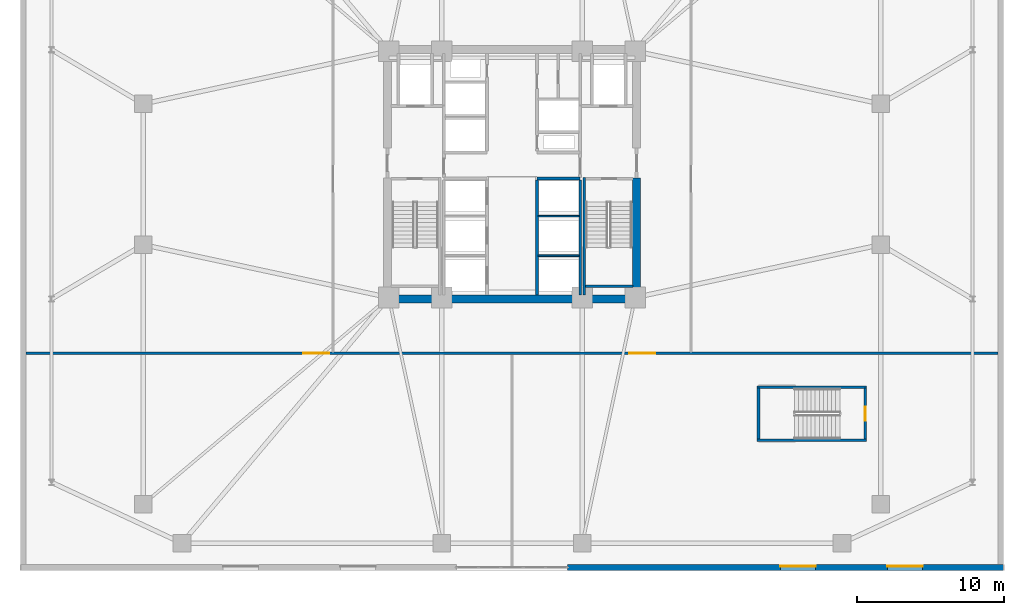
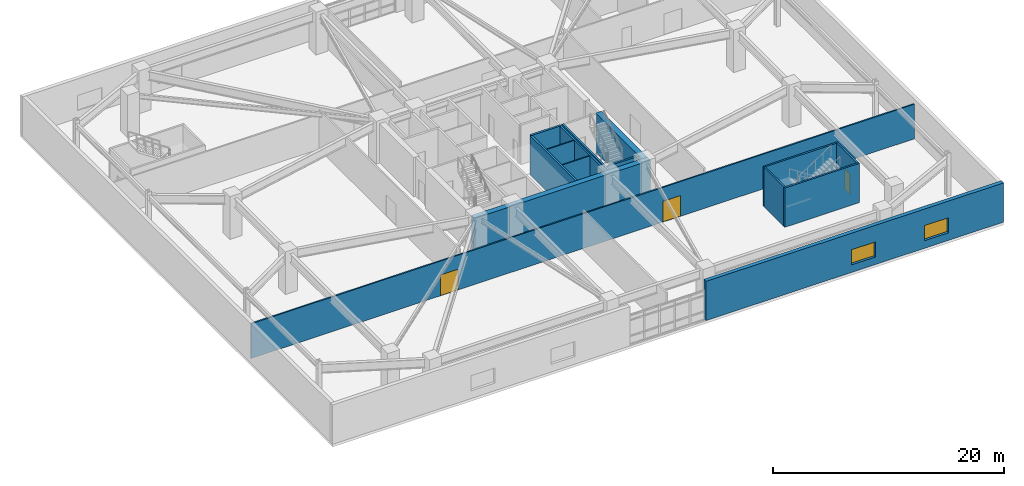
# One storey, part 12 of 21: 15 walls, 3 doors, 2 windows, 5 openings.
"""IFC4 building model written with IfcOpenShell, lengths in metres."""

from ifc_helpers import new_model, si_unit, direction, frame, frame_2d, origin, place, context, subcontext, project, spatial, rectangle, extrude, material, layer, layer_set, type_object, element, fill, save


model = new_model("IFC4")

# Units and contexts
model_context = context("Model", 3, precision=1e-05, world=origin(), true_north=direction((0.0, 1.0)))
body_context = subcontext(model_context, "Body", "Model", "MODEL_VIEW")
ifc_project = project(units=[si_unit("LENGTHUNIT", "METRE"), si_unit("AREAUNIT", "SQUARE_METRE"), si_unit("VOLUMEUNIT", "CUBIC_METRE"), si_unit("PLANEANGLEUNIT", "RADIAN"), si_unit("MASSUNIT", "GRAM", prefix="KILO")], contexts=[model_context])

# Site, building, storey
site_placement = place(None, origin())
site = spatial("IfcSite", under=ifc_project, at=site_placement, CompositionType="ELEMENT")
building_placement = place(site_placement, origin())
building = spatial("IfcBuilding", under=site, at=building_placement, Name="Cairnveth Concourse Tower", CompositionType="ELEMENT")
storey_placement = place(building_placement, frame((0.0, 0.0, 14.5)))
storey = spatial("IfcBuildingStorey", under=building, at=storey_placement, Name="L03", CompositionType="ELEMENT", Elevation=14.5)

# Walls
ifc_material_1 = material(Name="Concrete N80 (80 MPa)", Category="concrete")
ifc_layer_1 = layer(ifc_material_1, 0.550048828125)
ifc_layer_set_1 = layer_set([ifc_layer_1], Name="Concrete N80 (80 MPa)")
wall_type_1 = type_object("IfcWallType", Name="CORE SHEAR WALL 550", PredefinedType="SHEAR", material=ifc_layer_set_1)
wall_1_placement = place(storey_placement, frame((43.22509765625, 30.5, 0.0), z_axis=(0.0, 0.0, 1.0), x_axis=(1.0, 0.0, 0.0)))
element("IfcWall", 1, at=wall_1_placement, inside=storey, type_object=wall_type_1, Name="Core South Shear Wall L03", PredefinedType="SHEAR", context=body_context, shape_type="SweptSolid", body=[
    extrude(rectangle(XDim=17.5498046875, YDim=0.550048828125, at=frame_2d((8.77490234375, 0.0))), origin(), (0.0, 0.0, 1.0), 4.14990234375),
])
wall_2_placement = place(storey_placement, frame((60.5, 30.764892578125, 0.0), z_axis=(0.0, 0.0, 1.0), x_axis=(0.0, 1.0, 0.0)))
element("IfcWall", 2, at=wall_2_placement, inside=storey, type_object=wall_type_1, Name="Core East Shear Wall S L03", PredefinedType="SHEAR", context=body_context, shape_type="SweptSolid", body=[
    extrude(rectangle(XDim=7.985107421875, YDim=0.550048828125, at=frame_2d((3.99267578125, 0.0))), origin(), (0.0, 0.0, 1.0), 4.14990234375),
])
ifc_material_2 = material(Name="Concrete N50 (50 MPa)", Category="concrete")
ifc_layer_2 = layer(ifc_material_2, 0.179931640625)
ifc_layer_set_2 = layer_set([ifc_layer_2], Name="Concrete N50 (50 MPa)")
wall_type_2 = type_object("IfcWallType", Name="FIRE SHAFT WALL 180", PredefinedType="SOLIDWALL", material=ifc_layer_set_2)
wall_3_placement = place(storey_placement, frame((56.64990234375, 30.760009765625, 0.0), z_axis=(0.0, 0.0, 1.0), x_axis=(0.0, 1.0, 0.0)))
element("IfcWall", 3, at=wall_3_placement, inside=storey, type_object=wall_type_2, Name="Interior Wall IW-L03-028", PredefinedType="SOLIDWALL", context=body_context, shape_type="SweptSolid", body=[
    extrude(rectangle(XDim=7.85498046875, YDim=0.179931640625, at=frame_2d((3.927490234375, 0.0))), origin(), (0.0, 0.0, 1.0), 4.14990234375),
])
wall_4_placement = place(storey_placement, frame((57.0048828125, 31.360107421875, 0.0), z_axis=(0.0, 0.0, 1.0), x_axis=(1.0, 0.0, 0.0)))
element("IfcWall", 4, at=wall_4_placement, inside=storey, type_object=wall_type_2, Name="Stair ST-2 Shaft Wall FAR L03", PredefinedType="SOLIDWALL", context=body_context, shape_type="SweptSolid", body=[
    extrude(rectangle(XDim=3.230224609375, YDim=0.179931640625, at=frame_2d((1.615234375, 0.0))), origin(), (0.0, 0.0, 1.0), 4.14990234375),
])
wall_5_placement = place(storey_placement, frame((56.929931640625, 38.780029296875, 0.0), z_axis=(0.0, 0.0, 1.0), x_axis=(0.0, -1.0, 0.0)))
element("IfcWall", 5, at=wall_5_placement, inside=storey, type_object=wall_type_2, Name="Stair ST-2 Shaft Wall LEFT L03", PredefinedType="SOLIDWALL", context=body_context, shape_type="SweptSolid", body=[
    extrude(rectangle(XDim=8.01708984375, YDim=0.179931640625, at=frame_2d((4.008544921875, 0.0))), origin(), (0.0, 0.0, 1.0), 4.14990234375),
])

# Wall, opening, door
wall_6_placement = place(storey_placement, frame((76.090087890625, 24.4150390625, 0.0), z_axis=(0.0, 0.0, 1.0), x_axis=(0.0, -1.0, 0.0)))
wall_6 = element("IfcWall", 6, at=wall_6_placement, inside=storey, type_object=wall_type_2, Name="Stair ST-P2 Shaft Wall NEAR L03", PredefinedType="SOLIDWALL", context=body_context, shape_type="SweptSolid", body=[
    extrude(rectangle(XDim=3.469970703125, YDim=0.179931640625, at=frame_2d((1.73486328125, 0.0))), origin(), (0.0, 0.0, 1.0), 4.14990234375),
])
opening_1_placement = place(wall_6_placement, frame((1.260009765625, 0.0, 0.0)))
opening_1 = element("IfcOpeningElement", 7, at=opening_1_placement, cuts=wall_6, Name="Opening ID12", PredefinedType="OPENING", context=body_context, shape_type="SweptSolid", body=[
    extrude(rectangle(XDim=0.949951171875, YDim=2.14990234375, at=frame_2d((0.47509765625, 1.074951171875))), frame((0.0, 0.099853515625, 0.0), z_axis=(0.0, -1.0, 0.0), x_axis=(1.0, 0.0, 0.0)), (0.0, 0.0, 1.0), 0.199951171875),
])
ifc_material_3 = material(Name="Steel Grade 350", Category="steel")
door_type_1 = type_object("IfcDoorType", Name="FIRE STAIR DOOR 950X2150", OperationType="NOTDEFINED", PredefinedType="DOOR", material=ifc_material_3)
door_1_placement = place(opening_1_placement, origin())
door_1 = element("IfcDoor", 8, at=door_1_placement, inside=storey, type_object=door_type_1, Name="Stair ST-P2 Fire Door L03", OperationType="SINGLE_SWING_RIGHT", OverallHeight=2.14990234375, OverallWidth=0.949951171875, PredefinedType="DOOR", context=body_context, shape_type="SweptSolid", body=[
    extrude(rectangle(XDim=0.949951171875, YDim=2.14990234375, at=frame_2d((0.47509765625, 1.074951171875))), frame((0.0, 0.02490234375, 0.0), z_axis=(0.0, -1.0, 0.0), x_axis=(1.0, 0.0, 0.0)), (0.0, 0.0, 1.0), 0.050048828125),
])
fill(opening_1, door_1)

# Walls
wall_7_placement = place(storey_placement, frame((68.81005859375, 24.4150390625, 0.0), z_axis=(0.0, 0.0, 1.0), x_axis=(0.0, -1.0, 0.0)))
element("IfcWall", 9, at=wall_7_placement, inside=storey, type_object=wall_type_2, Name="Stair ST-P2 Shaft Wall FAR L03", PredefinedType="SOLIDWALL", context=body_context, shape_type="SweptSolid", body=[
    extrude(rectangle(XDim=3.469970703125, YDim=0.179931640625, at=frame_2d((1.73486328125, 0.0))), origin(), (0.0, 0.0, 1.0), 4.14990234375),
])
for number, where, z_axis, x_axis, name in (
    (10, (76.179931640625, 24.489990234375, 0.0), (0.0, 0.0, 1.0), (-1.0, 0.0, 0.0), "Stair ST-P2 Shaft Wall LEFT L03"),
    (11, (76.179931640625, 20.8701171875, 0.0), (0.0, 0.0, 1.0), (-1.0, 0.0, 0.0), "Stair ST-P2 Shaft Wall RGHT L03"),
):
    element("IfcWall", number, at=place(storey_placement, frame(where, z_axis=z_axis, x_axis=x_axis)), inside=storey, type_object=wall_type_2, Name=name, PredefinedType="SOLIDWALL", context=body_context, shape_type="SweptSolid", body=[
        extrude(rectangle(XDim=7.4599609375, YDim=0.179931640625, at=frame_2d((3.72998046875, 0.0))), origin(), (0.0, 0.0, 1.0), 4.14990234375),
    ])
ifc_layer_3 = layer(ifc_material_2, 0.199951171875)
ifc_layer_set_3 = layer_set([ifc_layer_3], Name="Concrete N50 (50 MPa)")
wall_type_3 = type_object("IfcWallType", Name="FIRE SHAFT WALL 200", PredefinedType="SOLIDWALL", material=ifc_layer_set_3)
wall_8_placement = place(storey_placement, frame((53.699951171875, 38.699951171875, 0.0), z_axis=(0.0, 0.0, 1.0), x_axis=(1.0, 0.0, 0.0)))
element("IfcWall", 12, at=wall_8_placement, inside=storey, type_object=wall_type_3, Name="Interior Wall IW-L03-009", PredefinedType="SOLIDWALL", context=body_context, shape_type="SweptSolid", body=[
    extrude(rectangle(XDim=2.949951171875, YDim=0.199951171875, at=frame_2d((1.47509765625, 0.0))), origin(), (0.0, 0.0, 1.0), 4.14990234375),
])
wall_9_placement = place(storey_placement, frame((53.699951171875, 30.760009765625, 0.0), z_axis=(0.0, 0.0, 1.0), x_axis=(0.0, 1.0, 0.0)))
element("IfcWall", 13, at=wall_9_placement, inside=storey, type_object=wall_type_3, Name="Interior Wall IW-L03-012", PredefinedType="SOLIDWALL", context=body_context, shape_type="SweptSolid", body=[
    extrude(rectangle(XDim=7.85498046875, YDim=0.199951171875, at=frame_2d((3.927490234375, 0.0))), origin(), (0.0, 0.0, 1.0), 4.14990234375),
])

# Wall, openings, doors
ifc_material_4 = material(Name="Gypsum Plasterboard Partition", Category="gypsum")
ifc_layer_4 = layer(ifc_material_4, 0.139892578125)
ifc_layer_set_4 = layer_set([ifc_layer_4], Name="Gypsum Plasterboard Partition")
wall_type_4 = type_object("IfcWallType", Name="GYPSUM STUD PARTITION 140", PredefinedType="PARTITIONING", material=ifc_layer_set_4)
wall_10_placement = place(storey_placement, frame((18.864990234375, 26.800048828125, 0.0), z_axis=(0.0, 0.0, 1.0), x_axis=(1.0, 0.0, 0.0)))
wall_10 = element("IfcWall", 14, at=wall_10_placement, inside=storey, type_object=wall_type_4, Name="Interior Wall IW-L03-038", PredefinedType="PARTITIONING", context=body_context, shape_type="SweptSolid", body=[
    extrude(rectangle(XDim=66.27001953125, YDim=0.139892578125, at=frame_2d((33.135009765625, 0.0))), origin(), (0.0, 0.0, 1.0), 3.66796875),
])
opening_2_placement = place(wall_10_placement, frame((18.9150390625, 0.0, 0.0)))
opening_2 = element("IfcOpeningElement", 15, at=opening_2_placement, cuts=wall_10, Name="Opening ID27", PredefinedType="OPENING", context=body_context, shape_type="SweptSolid", body=[
    extrude(rectangle(XDim=1.760009765625, YDim=2.199951171875, at=frame_2d((0.8798828125, 1.10009765625))), frame((0.0, 0.079833984375, 0.0), z_axis=(0.0, -1.0, 0.0), x_axis=(1.0, 0.0, 0.0)), (0.0, 0.0, 1.0), 0.159912109375),
])
opening_3_placement = place(wall_10_placement, frame((41.135009765625, 0.0, 0.0)))
opening_3 = element("IfcOpeningElement", 16, at=opening_3_placement, cuts=wall_10, Name="Opening ID27", PredefinedType="OPENING", context=body_context, shape_type="SweptSolid", body=[
    extrude(rectangle(XDim=1.760009765625, YDim=2.199951171875, at=frame_2d((0.8798828125, 1.10009765625))), frame((0.0, 0.079833984375, 0.0), z_axis=(0.0, -1.0, 0.0), x_axis=(1.0, 0.0, 0.0)), (0.0, 0.0, 1.0), 0.159912109375),
])
ifc_material_5 = material(Name="Solid Core Hardwood Timber Leaf", Category="wood")
door_type_2 = type_object("IfcDoorType", Name="CONCOURSE DOUBLE DOOR 1760X2200", OperationType="DOUBLE_DOOR_SINGLE_SWING", PredefinedType="DOOR", material=ifc_material_5)
door_2_placement = place(opening_2_placement, origin())
door_2 = element("IfcDoor", 17, at=door_2_placement, inside=storey, type_object=door_type_2, Name="Interior Door DR-L03-014", OperationType="DOUBLE_DOOR_SINGLE_SWING", OverallHeight=2.199951171875, OverallWidth=1.760009765625, PredefinedType="DOOR", context=body_context, shape_type="SweptSolid", body=[
    extrude(rectangle(XDim=1.760009765625, YDim=2.199951171875, at=frame_2d((0.8798828125, 1.10009765625))), frame((0.0, 0.02490234375, 0.0), z_axis=(0.0, -1.0, 0.0), x_axis=(1.0, 0.0, 0.0)), (0.0, 0.0, 1.0), 0.050048828125),
])
fill(opening_2, door_2)
door_3_placement = place(opening_3_placement, origin())
door_3 = element("IfcDoor", 18, at=door_3_placement, inside=storey, type_object=door_type_2, Name="Interior Door DR-L03-015", OperationType="DOUBLE_DOOR_SINGLE_SWING", OverallHeight=2.199951171875, OverallWidth=1.760009765625, PredefinedType="DOOR", context=body_context, shape_type="SweptSolid", body=[
    extrude(rectangle(XDim=1.760009765625, YDim=2.199951171875, at=frame_2d((0.8798828125, 1.10009765625))), frame((0.0, 0.02490234375, 0.0), z_axis=(0.0, -1.0, 0.0), x_axis=(1.0, 0.0, 0.0)), (0.0, 0.0, 1.0), 0.050048828125),
])
fill(opening_3, door_3)

# Walls
ifc_layer_5 = layer(ifc_material_4, 0.110107421875)
ifc_layer_set_5 = layer_set([ifc_layer_5], Name="Gypsum Plasterboard Partition")
wall_type_5 = type_object("IfcWallType", Name="SHAFT DIVIDER WALL 140", PredefinedType="PARTITIONING", material=ifc_layer_set_5)
for number, where, z_axis, x_axis, name in (
    (19, (53.784912109375, 33.449951171875, 0.0), (0.0, 0.0, 1.0), (1.0, 0.0, 0.0), "Interior Wall IW-L03-029"),
    (20, (53.784912109375, 36.14990234375, 0.0), (0.0, 0.0, 1.0), (1.0, 0.0, 0.0), "Interior Wall IW-L03-030"),
):
    element("IfcWall", number, at=place(storey_placement, frame(where, z_axis=z_axis, x_axis=x_axis)), inside=storey, type_object=wall_type_5, Name=name, PredefinedType="PARTITIONING", context=body_context, shape_type="SweptSolid", body=[
        extrude(rectangle(XDim=2.7900390625, YDim=0.110107421875, at=frame_2d((1.39501953125, 0.0))), origin(), (0.0, 0.0, 1.0), 4.14990234375),
    ])

# Wall, openings, windows
ifc_material_6 = material(Name="Hawthorn Red-Ochre Fired Clay Brick Masonry", Category="masonry")
ifc_layer_6 = layer(ifc_material_6, 0.3798828125)
ifc_layer_set_6 = layer_set([ifc_layer_6], Name="Hawthorn Red-Ochre Fired Clay Brick Masonry")
wall_type_6 = type_object("IfcWallType", Name="UPPER PODIUM BRICK WALL 380", PredefinedType="SOLIDWALL", material=ifc_layer_set_6)
wall_11_placement = place(storey_placement, frame((85.5, 12.18994140625, 0.0), z_axis=(0.0, 0.0, 1.0), x_axis=(-1.0, 0.0, 0.0)))
wall_11 = element("IfcWall", 21, at=wall_11_placement, inside=storey, type_object=wall_type_6, Name="Exterior Wall EW-L03-SE", PredefinedType="SOLIDWALL", context=body_context, shape_type="SweptSolid", body=[
    extrude(rectangle(XDim=29.699951171875, YDim=0.3798828125, at=frame_2d((14.85009765625, 0.0))), origin(), (0.0, 0.0, 1.0), 4.14990234375),
])
opening_4_placement = place(wall_11_placement, frame((5.5, 0.0, 0.800048828125)))
opening_4 = element("IfcOpeningElement", 22, at=opening_4_placement, cuts=wall_11, Name="Opening W11", PredefinedType="OPENING", context=body_context, shape_type="SweptSolid", body=[
    extrude(rectangle(XDim=2.39990234375, YDim=1.60009765625, at=frame_2d((1.199951171875, 0.800048828125))), frame((0.0, 0.199951171875, 0.0), z_axis=(0.0, -1.0, 0.0), x_axis=(1.0, 0.0, 0.0)), (0.0, 0.0, 1.0), 0.39990234375),
])
opening_5_placement = place(wall_11_placement, frame((12.800048828125, 0.0, 0.800048828125)))
opening_5 = element("IfcOpeningElement", 23, at=opening_5_placement, cuts=wall_11, Name="Opening W11", PredefinedType="OPENING", context=body_context, shape_type="SweptSolid", body=[
    extrude(rectangle(XDim=2.39990234375, YDim=1.60009765625, at=frame_2d((1.199951171875, 0.800048828125))), frame((0.0, 0.199951171875, 0.0), z_axis=(0.0, -1.0, 0.0), x_axis=(1.0, 0.0, 0.0)), (0.0, 0.0, 1.0), 0.39990234375),
])
ifc_material_7 = material(Name="Double Glazed Low-E Clear Glass", Category="glass")
window_type = type_object("IfcWindowType", Name="DEEP-SET PODIUM CLERESTORY WINDOW 2400X1600", PartitioningType="DOUBLE_PANEL_VERTICAL", PredefinedType="WINDOW", material=ifc_material_7)
window_1_placement = place(opening_4_placement, origin())
window_1 = element("IfcWindow", 24, at=window_1_placement, inside=storey, type_object=window_type, Name="WIN-L03-SE-1", OverallHeight=1.60009765625, OverallWidth=2.39990234375, PartitioningType="SINGLE_PANEL", PredefinedType="WINDOW", context=body_context, shape_type="SweptSolid", body=[
    extrude(rectangle(XDim=2.39990234375, YDim=1.60009765625, at=frame_2d((1.199951171875, 0.800048828125))), frame((0.0, -0.050048828125, 0.0), z_axis=(0.0, -1.0, 0.0), x_axis=(1.0, 0.0, 0.0)), (0.0, 0.0, 1.0), 0.06005859375),
])
fill(opening_4, window_1)
window_2_placement = place(opening_5_placement, origin())
window_2 = element("IfcWindow", 25, at=window_2_placement, inside=storey, type_object=window_type, Name="WIN-L03-SE-2", OverallHeight=1.60009765625, OverallWidth=2.39990234375, PartitioningType="SINGLE_PANEL", PredefinedType="WINDOW", context=body_context, shape_type="SweptSolid", body=[
    extrude(rectangle(XDim=2.39990234375, YDim=1.60009765625, at=frame_2d((1.199951171875, 0.800048828125))), frame((0.0, -0.050048828125, 0.0), z_axis=(0.0, -1.0, 0.0), x_axis=(1.0, 0.0, 0.0)), (0.0, 0.0, 1.0), 0.06005859375),
])
fill(opening_5, window_2)

save(model, "model.ifc")
